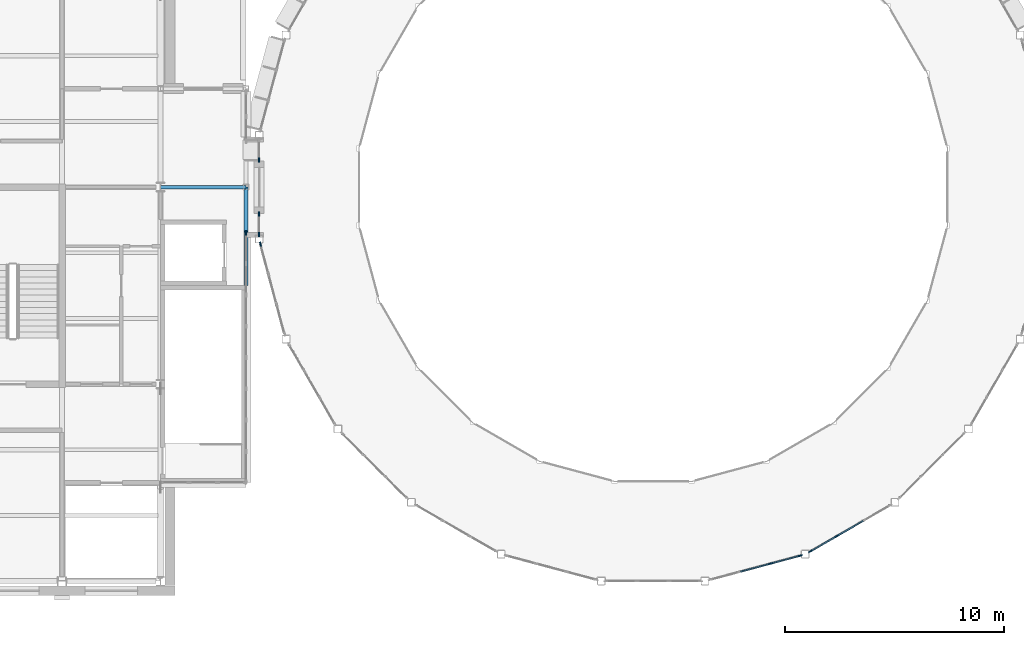
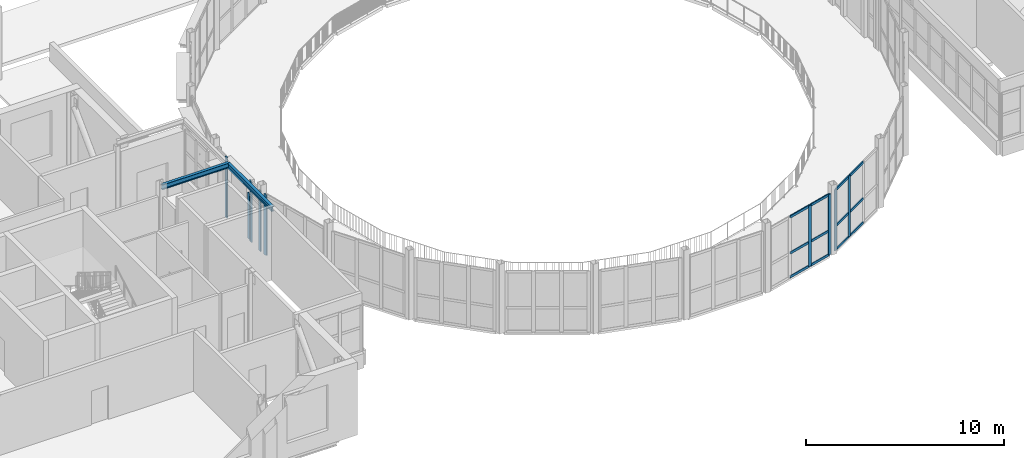
# One storey, part 14 of 74: 21 members, 2 beams, 6 elements without a shape of their own.
"""IFC4 building model written with IfcOpenShell, lengths in metres."""

from ifc_helpers import new_model, si_unit, direction, frame, origin, origin_2d, place, context, subcontext, project, spatial, rectangle, i_section, extrude, material, layer, layer_set, material_profile, profile_set, type_object, element, aggregate, save


model = new_model("IFC4")

# Units and contexts
model_context = context("Model", 3, precision=1e-05, world=origin(), true_north=direction((0.0, 1.0)))
body_context = subcontext(model_context, "Body", "Model", "MODEL_VIEW")
ifc_project = project(units=[si_unit("LENGTHUNIT", "METRE"), si_unit("AREAUNIT", "SQUARE_METRE"), si_unit("VOLUMEUNIT", "CUBIC_METRE"), si_unit("PLANEANGLEUNIT", "RADIAN"), si_unit("MASSUNIT", "GRAM", prefix="KILO")], contexts=[model_context])

# Site, building, storey
site_placement = place(None, origin())
site = spatial("IfcSite", under=ifc_project, at=site_placement, CompositionType="ELEMENT")
building_placement = place(site_placement, origin())
building = spatial("IfcBuilding", under=site, at=building_placement, Name="Hortulan Conservatory and Botanical Research Centre", CompositionType="ELEMENT")
storey_placement = place(building_placement, frame((0.0, 0.0, 6.0)))
storey = spatial("IfcBuildingStorey", under=building, at=storey_placement, Name="L01", CompositionType="ELEMENT", Elevation=6.0)

# Curtain wall, members
ifc_material_1 = material(Name="Bronze-finished aluminium", Category="aluminium")
ifc_layer = layer(ifc_material_1, 0.10009765625)
ifc_layer_set = layer_set([ifc_layer], Name="Bronze-framed Curtain Wall 1500 module")
curtain_wall_type = type_object("IfcCurtainWallType", Name="Bronze-framed Curtain Wall 1500 module", PredefinedType="NOTDEFINED", material=ifc_layer_set)
curtain_wall_1_placement = place(storey_placement, origin())
curtain_wall_1 = element("IfcCurtainWall", 1, at=curtain_wall_1_placement, inside=storey, type_object=curtain_wall_type, Name="Curtain wall", PredefinedType="NOTDEFINED")
ifc_material_profile_1 = material_profile(ifc_material_1, rectangle(XDim=0.06005859375, YDim=0.199951171875, at=origin_2d()), Name="Bronze Mullion 60x200")
ifc_profile_set_1 = profile_set([ifc_material_profile_1], Name="Bronze-finished aluminium")
member_type_1 = type_object("IfcMemberType", Name="Bronze Mullion 60x200", PredefinedType="MULLION", material=ifc_profile_set_1)
member_1_placement = place(storey_placement, frame((36.0, 15.8349609375, 0.0), z_axis=(0.0, 0.0, 1.0), x_axis=(-1.0, 0.0, 0.0)))
member_1 = element("IfcMember", 2, at=member_1_placement, type_object=member_type_1, Name="CW1 mullion 1", PredefinedType="MULLION", context=body_context, shape_type="SweptSolid", body=[
    extrude(rectangle(XDim=0.06005859375, YDim=0.199951171875, at=origin_2d()), origin(), (0.0, 0.0, 1.0), 3.75),
])
member_2_placement = place(storey_placement, frame((36.0, 16.77001953125, 0.0), z_axis=(0.0, 0.0, 1.0), x_axis=(-1.0, 0.0, 0.0)))
member_2 = element("IfcMember", 3, at=member_2_placement, type_object=member_type_1, Name="CW1 mullion 2", PredefinedType="MULLION", context=body_context, shape_type="SweptSolid", body=[
    extrude(rectangle(XDim=0.06005859375, YDim=0.199951171875, at=origin_2d()), origin(), (0.0, 0.0, 1.0), 3.75),
])
aggregate(curtain_wall_1, [member_1, member_2])

# Curtain wall, member
curtain_wall_2_placement = place(storey_placement, origin())
curtain_wall_2 = element("IfcCurtainWall", 4, at=curtain_wall_2_placement, inside=storey, type_object=curtain_wall_type, Name="Curtain wall", PredefinedType="NOTDEFINED")
member_3_placement = place(storey_placement, frame((36.0, 19.22998046875, 0.0), z_axis=(0.0, 0.0, 1.0), x_axis=(-1.0, 0.0, 0.0)))
member_3 = element("IfcMember", 5, at=member_3_placement, type_object=member_type_1, Name="CW1 mullion 1", PredefinedType="MULLION", context=body_context, shape_type="SweptSolid", body=[
    extrude(rectangle(XDim=0.06005859375, YDim=0.199951171875, at=origin_2d()), origin(), (0.0, 0.0, 1.0), 3.75),
])
aggregate(curtain_wall_2, [member_3])

curtain_wall_3_placement = place(storey_placement, origin())
curtain_wall_3 = element("IfcCurtainWall", 6, at=curtain_wall_3_placement, inside=storey, type_object=curtain_wall_type, Name="Curtain wall", PredefinedType="NOTDEFINED")
member_4_placement = place(storey_placement, frame((36.063232421875, 15.39404296875, 0.0), z_axis=(0.0, 0.0, 1.0), x_axis=(-0.965922372015, -0.258831936284, 0.0)))
member_4 = element("IfcMember", 7, at=member_4_placement, type_object=member_type_1, Name="CW1 mullion 4", PredefinedType="MULLION", context=body_context, shape_type="SweptSolid", body=[
    extrude(rectangle(XDim=0.06005859375, YDim=0.199951171875, at=origin_2d()), origin(), (0.0, 0.0, 1.0), 3.75),
])
aggregate(curtain_wall_3, [member_4])

# Curtain wall, members
curtain_wall_4_placement = place(storey_placement, origin())
curtain_wall_4 = element("IfcCurtainWall", 8, at=curtain_wall_4_placement, inside=storey, type_object=curtain_wall_type, Name="Curtain wall", PredefinedType="NOTDEFINED")
member_5_placement = place(storey_placement, frame((60.7119140625, 1.16357421875, 0.0), z_axis=(0.0, 0.0, 1.0), x_axis=(0.258831936284, -0.965922372015, 0.0)))
member_5 = element("IfcMember", 9, at=member_5_placement, type_object=member_type_1, Name="CW1 mullion 1", PredefinedType="MULLION", context=body_context, shape_type="SweptSolid", body=[
    extrude(rectangle(XDim=0.06005859375, YDim=0.199951171875, at=origin_2d()), origin(), (0.0, 0.0, 1.0), 3.75),
])
member_6_placement = place(storey_placement, frame((59.35302734375, 0.79931640625, 0.0), z_axis=(0.0, 0.0, 1.0), x_axis=(0.258831936284, -0.965922372015, 0.0)))
member_6 = element("IfcMember", 10, at=member_6_placement, type_object=member_type_1, Name="CW1 mullion 2", PredefinedType="MULLION", context=body_context, shape_type="SweptSolid", body=[
    extrude(rectangle(XDim=0.06005859375, YDim=0.199951171875, at=origin_2d()), origin(), (0.0, 0.0, 1.0), 3.75),
])

curtain_wall_5_placement = place(storey_placement, origin())
curtain_wall_5 = element("IfcCurtainWall", 11, at=curtain_wall_5_placement, inside=storey, type_object=curtain_wall_type, Name="Curtain wall", PredefinedType="NOTDEFINED")
member_7_placement = place(storey_placement, frame((62.385009765625, 2.056396484375, 0.0), z_axis=(0.0, 0.0, 1.0), x_axis=(0.499981160235, -0.866036280655, 0.0)))
member_7 = element("IfcMember", 12, at=member_7_placement, type_object=member_type_1, Name="CW1 mullion 3", PredefinedType="MULLION", context=body_context, shape_type="SweptSolid", body=[
    extrude(rectangle(XDim=0.06005859375, YDim=0.199951171875, at=origin_2d()), origin(), (0.0, 0.0, 1.0), 3.75),
])
member_8_placement = place(storey_placement, frame((61.18115234375, 1.361328125, 0.0), z_axis=(0.0, 0.0, 1.0), x_axis=(0.499981160235, -0.866036280655, 0.0)))
member_8 = element("IfcMember", 13, at=member_8_placement, type_object=member_type_1, Name="CW1 mullion 4", PredefinedType="MULLION", context=body_context, shape_type="SweptSolid", body=[
    extrude(rectangle(XDim=0.06005859375, YDim=0.199951171875, at=origin_2d()), origin(), (0.0, 0.0, 1.0), 3.75),
])

# Curtain wall, member
curtain_wall_6_placement = place(storey_placement, origin())
curtain_wall_6 = element("IfcCurtainWall", 14, at=curtain_wall_6_placement, inside=storey, type_object=curtain_wall_type, Name="Curtain wall", PredefinedType="NOTDEFINED")
member_9_placement = place(storey_placement, frame((35.39990234375, 15.900390625, 0.89990234375), z_axis=(0.0, 0.0, 1.0), x_axis=(1.0, 0.0, 0.0)))
member_9 = element("IfcMember", 15, at=member_9_placement, type_object=member_type_1, Name="CW1 mullion 1", PredefinedType="MULLION", context=body_context, shape_type="SweptSolid", body=[
    extrude(rectangle(XDim=0.06005859375, YDim=0.199951171875, at=origin_2d()), origin(), (0.0, 0.0, 1.0), 2.840087890625),
])
aggregate(curtain_wall_6, [member_9])

# Member
ifc_material_profile_2 = material_profile(ifc_material_1, rectangle(XDim=0.06005859375, YDim=0.14990234375, at=origin_2d()), Name="Bronze Transom 60x150")
ifc_profile_set_2 = profile_set([ifc_material_profile_2], Name="Bronze-finished aluminium")
member_type_2 = type_object("IfcMemberType", Name="Bronze Transom 60x150", PredefinedType="USERDEFINED", material=ifc_profile_set_2)
member_10_placement = place(storey_placement, frame((60.68310546875, 1.15576171875, 0.030029296875), z_axis=(-0.965921351189, -0.258835745824, 0.0), x_axis=(0.258835745824, -0.965921351189, 0.0)))
member_10 = element("IfcMember", 16, at=member_10_placement, type_object=member_type_2, Name="CW1 transom 1.1", ObjectType="TRANSOM", PredefinedType="USERDEFINED", context=body_context, shape_type="SweptSolid", body=[
    extrude(rectangle(XDim=0.06005859375, YDim=0.14990234375, at=origin_2d()), origin(), (0.0, 0.0, 1.0), 1.346923828125),
])

member_11_placement = place(storey_placement, frame((60.68310546875, 1.15576171875, 1.5), z_axis=(-0.965921351189, -0.258835745824, 0.0), x_axis=(0.258835745824, -0.965921351189, 0.0)))
member_11 = element("IfcMember", 17, at=member_11_placement, type_object=member_type_2, Name="CW1 transom 1.2", ObjectType="TRANSOM", PredefinedType="USERDEFINED", context=body_context, shape_type="SweptSolid", body=[
    extrude(rectangle(XDim=0.06005859375, YDim=0.14990234375, at=origin_2d()), origin(), (0.0, 0.0, 1.0), 1.346923828125),
])

member_12_placement = place(storey_placement, frame((60.68310546875, 1.15576171875, 3.719970703125), z_axis=(-0.965921351189, -0.258835745824, 0.0), x_axis=(0.258835745824, -0.965921351189, 0.0)))
member_12 = element("IfcMember", 18, at=member_12_placement, type_object=member_type_2, Name="CW1 transom 1.3", ObjectType="TRANSOM", PredefinedType="USERDEFINED", context=body_context, shape_type="SweptSolid", body=[
    extrude(rectangle(XDim=0.06005859375, YDim=0.14990234375, at=origin_2d()), origin(), (0.0, 0.0, 1.0), 1.346923828125),
])

member_13_placement = place(storey_placement, frame((59.323974609375, 0.79150390625, 0.030029296875), z_axis=(-0.965960711262, -0.258688817498, 0.0), x_axis=(0.258688817498, -0.965960711262, 0.0)))
member_13 = element("IfcMember", 19, at=member_13_placement, type_object=member_type_2, Name="CW1 transom 2.1", ObjectType="TRANSOM", PredefinedType="USERDEFINED", context=body_context, shape_type="SweptSolid", body=[
    extrude(rectangle(XDim=0.06005859375, YDim=0.14990234375, at=origin_2d()), origin(), (0.0, 0.0, 1.0), 1.376953125),
])

member_14_placement = place(storey_placement, frame((59.323974609375, 0.79150390625, 1.5), z_axis=(-0.965960711262, -0.258688817498, 0.0), x_axis=(0.258688817498, -0.965960711262, 0.0)))
member_14 = element("IfcMember", 20, at=member_14_placement, type_object=member_type_2, Name="CW1 transom 2.2", ObjectType="TRANSOM", PredefinedType="USERDEFINED", context=body_context, shape_type="SweptSolid", body=[
    extrude(rectangle(XDim=0.06005859375, YDim=0.14990234375, at=origin_2d()), origin(), (0.0, 0.0, 1.0), 1.376953125),
])

member_15_placement = place(storey_placement, frame((59.323974609375, 0.79150390625, 3.719970703125), z_axis=(-0.965960711262, -0.258688817498, 0.0), x_axis=(0.258688817498, -0.965960711262, 0.0)))
member_15 = element("IfcMember", 21, at=member_15_placement, type_object=member_type_2, Name="CW1 transom 2.3", ObjectType="TRANSOM", PredefinedType="USERDEFINED", context=body_context, shape_type="SweptSolid", body=[
    extrude(rectangle(XDim=0.06005859375, YDim=0.14990234375, at=origin_2d()), origin(), (0.0, 0.0, 1.0), 1.376953125),
])

aggregate(curtain_wall_4, [member_5, member_6, member_10, member_11, member_12, member_13, member_14, member_15])

member_16_placement = place(storey_placement, frame((63.5888671875, 2.75146484375, 0.030029296875), z_axis=(-0.866036107898, -0.499981459473, 0.0), x_axis=(0.499981459473, -0.866036107898, 0.0)))
member_16 = element("IfcMember", 22, at=member_16_placement, type_object=member_type_2, Name="CW1 transom 2.1", ObjectType="TRANSOM", PredefinedType="USERDEFINED", context=body_context, shape_type="SweptSolid", body=[
    extrude(rectangle(XDim=0.06005859375, YDim=0.14990234375, at=origin_2d()), origin(), (0.0, 0.0, 1.0), 1.35986328125),
])

member_17_placement = place(storey_placement, frame((63.5888671875, 2.75146484375, 1.5), z_axis=(-0.866036107898, -0.499981459473, 0.0), x_axis=(0.499981459473, -0.866036107898, 0.0)))
member_17 = element("IfcMember", 23, at=member_17_placement, type_object=member_type_2, Name="CW1 transom 2.2", ObjectType="TRANSOM", PredefinedType="USERDEFINED", context=body_context, shape_type="SweptSolid", body=[
    extrude(rectangle(XDim=0.06005859375, YDim=0.14990234375, at=origin_2d()), origin(), (0.0, 0.0, 1.0), 1.35986328125),
])

member_18_placement = place(storey_placement, frame((63.5888671875, 2.75146484375, 3.719970703125), z_axis=(-0.866036107898, -0.499981459473, 0.0), x_axis=(0.499981459473, -0.866036107898, 0.0)))
member_18 = element("IfcMember", 24, at=member_18_placement, type_object=member_type_2, Name="CW1 transom 2.3", ObjectType="TRANSOM", PredefinedType="USERDEFINED", context=body_context, shape_type="SweptSolid", body=[
    extrude(rectangle(XDim=0.06005859375, YDim=0.14990234375, at=origin_2d()), origin(), (0.0, 0.0, 1.0), 1.35986328125),
])

member_19_placement = place(storey_placement, frame((62.359130859375, 2.04150390625, 0.030029296875), z_axis=(-0.866066400931, -0.499928984136, 0.0), x_axis=(0.499928984136, -0.866066400931, 0.0)))
member_19 = element("IfcMember", 25, at=member_19_placement, type_object=member_type_2, Name="CW1 transom 3.1", ObjectType="TRANSOM", PredefinedType="USERDEFINED", context=body_context, shape_type="SweptSolid", body=[
    extrude(rectangle(XDim=0.06005859375, YDim=0.14990234375, at=origin_2d()), origin(), (0.0, 0.0, 1.0), 1.330322265625),
])

member_20_placement = place(storey_placement, frame((62.359130859375, 2.04150390625, 1.5), z_axis=(-0.866066400931, -0.499928984136, 0.0), x_axis=(0.499928984136, -0.866066400931, 0.0)))
member_20 = element("IfcMember", 26, at=member_20_placement, type_object=member_type_2, Name="CW1 transom 3.2", ObjectType="TRANSOM", PredefinedType="USERDEFINED", context=body_context, shape_type="SweptSolid", body=[
    extrude(rectangle(XDim=0.06005859375, YDim=0.14990234375, at=origin_2d()), origin(), (0.0, 0.0, 1.0), 1.330322265625),
])

member_21_placement = place(storey_placement, frame((62.359130859375, 2.04150390625, 3.719970703125), z_axis=(-0.866066400931, -0.499928984136, 0.0), x_axis=(0.499928984136, -0.866066400931, 0.0)))
member_21 = element("IfcMember", 27, at=member_21_placement, type_object=member_type_2, Name="CW1 transom 3.3", ObjectType="TRANSOM", PredefinedType="USERDEFINED", context=body_context, shape_type="SweptSolid", body=[
    extrude(rectangle(XDim=0.06005859375, YDim=0.14990234375, at=origin_2d()), origin(), (0.0, 0.0, 1.0), 1.330322265625),
])

aggregate(curtain_wall_5, [member_7, member_8, member_16, member_17, member_18, member_19, member_20, member_21])

# Beams
ifc_material_2 = material(Name="Steel Grade 300PLUS (AS/NZS 3679.1, 280 MPa minimum yield)", Category="steel")
ifc_material_profile_3 = material_profile(ifc_material_2, i_section(OverallWidth=0.1650390625, OverallDepth=0.303955078125, WebThickness=0.006103515625, FlangeThickness=0.01025390625, FilletRadius=0.011474609375, at=origin_2d()), Name="310UB40.4")
ifc_profile_set_3 = profile_set([ifc_material_profile_3], Name="Steel Grade 300PLUS (AS/NZS 3679.1, 280 MPa minimum yield)")
beam_type = type_object("IfcBeamType", Name="Head Link Beam 310UB40.4", PredefinedType="BEAM", material=ifc_profile_set_3)
beam_1_placement = place(storey_placement, frame((31.5, 18.0, 4.197998046875), z_axis=(1.0, 0.0, 0.0), x_axis=(0.0, 1.0, 0.0)))
element("IfcBeam", 28, at=beam_1_placement, inside=storey, type_object=beam_type, Name="HW roof beam 2", PredefinedType="BEAM", context=body_context, shape_type="SweptSolid", body=[
    extrude(i_section(OverallWidth=0.1650390625, OverallDepth=0.303955078125, WebThickness=0.006103515625, FlangeThickness=0.01025390625, FilletRadius=0.011474609375, at=origin_2d()), origin(), (0.0, 0.0, 1.0), 3.89990234375),
])
beam_2_placement = place(storey_placement, frame((35.39990234375, 13.5, 4.197998046875), z_axis=(0.0, 1.0, 0.0), x_axis=(-1.0, 0.0, 0.0)))
element("IfcBeam", 29, at=beam_2_placement, inside=storey, type_object=beam_type, Name="HW roof beam 3", PredefinedType="BEAM", context=body_context, shape_type="SweptSolid", body=[
    extrude(i_section(OverallWidth=0.1650390625, OverallDepth=0.303955078125, WebThickness=0.006103515625, FlangeThickness=0.01025390625, FilletRadius=0.011474609375, at=origin_2d()), origin(), (0.0, 0.0, 1.0), 4.5),
])

save(model, "model.ifc")
